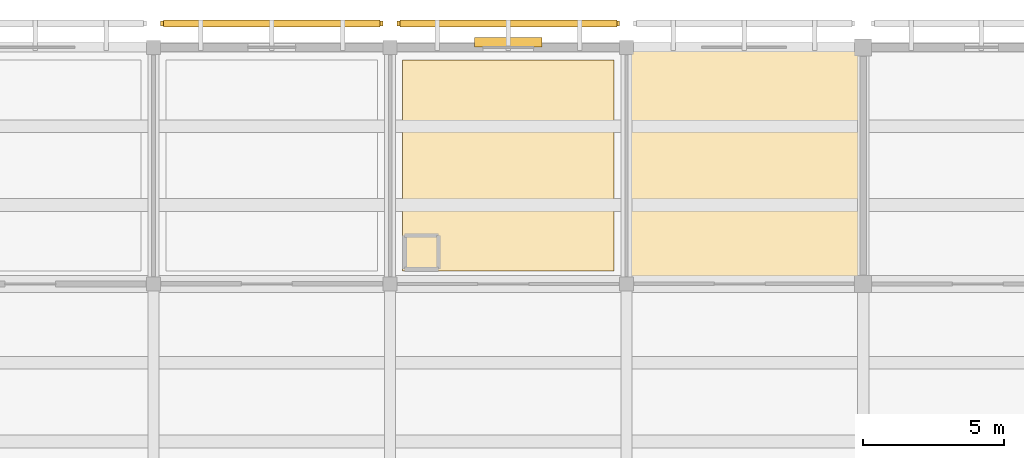
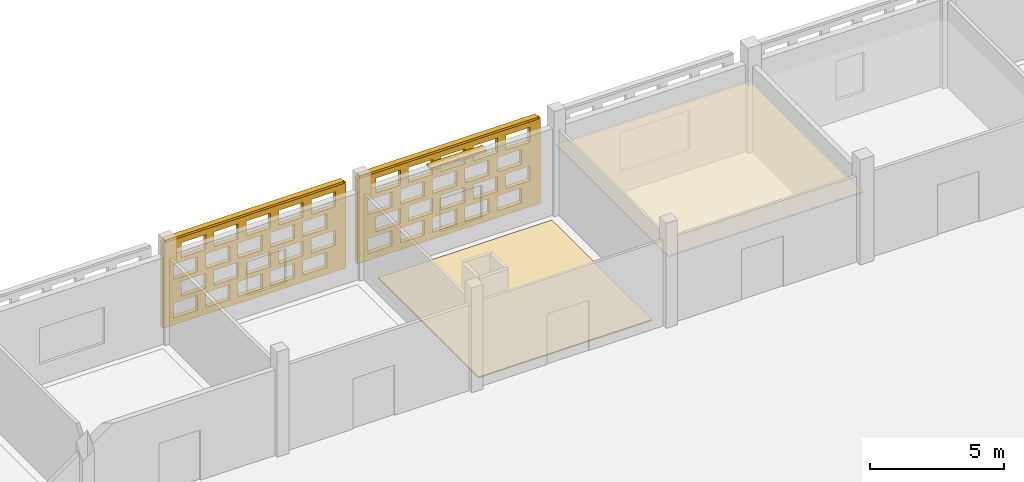
# One storey, part 108 of 129: 4 coverings, 3 shading devices, 40 openings.
"""IFC4 building model written with IfcOpenShell, lengths in metres."""

from ifc_helpers import new_model, si_unit, direction, frame, frame_2d, origin, origin_2d, place, context, subcontext, project, spatial, rectangle, extrude, material, layer, layer_set, type_object, element, save


model = new_model("IFC4")

# Units and contexts
model_context = context("Model", 3, precision=1e-05, world=origin(), true_north=direction((0.0, 1.0)))
body_context = subcontext(model_context, "Body", "Model", "MODEL_VIEW")
ifc_project = project(units=[si_unit("LENGTHUNIT", "METRE"), si_unit("AREAUNIT", "SQUARE_METRE"), si_unit("VOLUMEUNIT", "CUBIC_METRE"), si_unit("PLANEANGLEUNIT", "RADIAN"), si_unit("MASSUNIT", "GRAM", prefix="KILO")], contexts=[model_context])

# Site, building, storey
site_placement = place(None, origin())
site = spatial("IfcSite", under=ifc_project, at=site_placement, CompositionType="ELEMENT")
building_placement = place(site_placement, origin())
building = spatial("IfcBuilding", under=site, at=building_placement, Name="Varnapada Polytechnic", CompositionType="ELEMENT")
storey_placement = place(building_placement, origin())
storey = spatial("IfcBuildingStorey", under=building, at=storey_placement, Name="L00", CompositionType="ELEMENT", Elevation=0.0)

# Covering
ifc_material_1 = material(Name="End-Grain Timber Studio Block Flooring", Category="wood")
ifc_layer_1 = layer(ifc_material_1, 0.054931640625)
ifc_layer_set_1 = layer_set([ifc_layer_1], Name="End-Grain Timber Studio Block Flooring")
covering_type_1 = type_object("IfcCoveringType", Name="Floor Finish FLR-04", PredefinedType="FLOORING", material=ifc_layer_set_1)
covering_1_placement = place(storey_placement, frame((105.0, 121.800048828125, 0.0), z_axis=(0.0, 0.0, 1.0), x_axis=(1.0, 0.0, 0.0)))
element("IfcCovering", 1, at=covering_1_placement, inside=storey, type_object=covering_type_1, Name="L00 floor finish panel (13,15)", PredefinedType="FLOORING", context=body_context, shape_type="SweptSolid", body=[
    extrude(rectangle(XDim=7.5, YDim=7.5, at=origin_2d()), origin(), (0.0, 0.0, 1.0), 0.054931640625),
])

# Shading device
ifc_material_2 = material(Name="Anodised aluminium", Category="aluminium")
ifc_layer_2 = layer(ifc_material_2, 0.35009765625)
ifc_layer_set_2 = layer_set([ifc_layer_2], Name="Anodised aluminium")
shading_device_type_1 = type_object("IfcShadingDeviceType", Name="Solar Louvre LVR-01", PredefinedType="JALOUSIE", material=ifc_layer_set_2)
shading_device_placement = place(storey_placement, frame((105.0, 126.179931640625, 3.760009765625), z_axis=(0.0, 0.0, 1.0), x_axis=(1.0, 0.0, 0.0)))
element("IfcShadingDevice", 2, at=shading_device_placement, inside=storey, type_object=shading_device_type_1, Name="L00 aluminium sun louvre 67", PredefinedType="JALOUSIE", context=body_context, shape_type="SweptSolid", body=[
    extrude(rectangle(XDim=2.39990234375, YDim=0.340087890625, at=origin_2d()), origin(), (0.0, 0.0, 1.0), 0.1201171875),
])

# Covering
ifc_material_3 = material(Name="Slatted Merbau Timber Acoustic Ceiling", Category="wood")
ifc_layer_3 = layer(ifc_material_3, 0.054931640625)
ifc_layer_set_3 = layer_set([ifc_layer_3], Name="Slatted Merbau Timber Acoustic Ceiling")
covering_type_2 = type_object("IfcCoveringType", Name="Suspended Ceiling CLG-05", PredefinedType="CEILING", material=ifc_layer_set_3)
covering_2_placement = place(storey_placement, frame((113.39990234375, 121.800048828125, 3.0224609375), z_axis=(0.0, 0.0, 1.0), x_axis=(1.0, 0.0, 0.0)))
element("IfcCovering", 3, at=covering_2_placement, inside=storey, type_object=covering_type_2, Name="L00 suspended acoustic ceiling (14,15)", PredefinedType="CEILING", context=body_context, shape_type="SweptSolid", body=[
    extrude(rectangle(XDim=8.419921875, YDim=8.419921875, at=origin_2d()), origin(), (0.0, 0.0, 1.0), 0.054931640625),
])

# Covering, openings
ifc_material_4 = material(Name="Earth-toned architectural terracotta screen block", Category="masonry")
ifc_layer_4 = layer(ifc_material_4, 0.1201171875)
ifc_layer_set_4 = layer_set([ifc_layer_4], Name="Earth-toned architectural terracotta screen block")
covering_type_3 = type_object("IfcCoveringType", Name="Terracotta Screen Cladding CLD-01", PredefinedType="CLADDING", material=ifc_layer_set_4)
covering_3_placement = place(storey_placement, frame((92.64990234375, 126.85009765625, 0.0), z_axis=(0.0, 0.0, 1.0), x_axis=(1.0, 0.0, 0.0)))
covering_3 = element("IfcCovering", 4, at=covering_3_placement, inside=storey, type_object=covering_type_3, Name="L00 perforated terracotta block screen (63)", PredefinedType="CLADDING", context=body_context, shape_type="SweptSolid", body=[
    extrude(rectangle(XDim=7.900146484375, YDim=0.179931640625, at=frame_2d((3.9501953125, 0.0))), origin(), (0.0, 0.0, 1.0), 3.919921875),
])
opening_1_placement = place(covering_3_placement, frame((0.449951171875, 0.0, 0.313720703125)))
element("IfcOpeningElement", 5, at=opening_1_placement, cuts=covering_3, Name="Screen perforation TBS-L00-062.1", PredefinedType="OPENING", context=body_context, shape_type="SweptSolid", body=[
    extrude(rectangle(XDim=1.0400390625, YDim=0.679931640625, at=frame_2d((0.52001953125, 0.33984375))), frame((0.0, 0.099853515625, 0.0), z_axis=(0.0, -1.0, 0.0), x_axis=(1.0, 0.0, 0.0)), (0.0, 0.0, 1.0), 0.199951171875),
])
opening_2_placement = place(covering_3_placement, frame((1.85009765625, 0.0, 0.313720703125)))
element("IfcOpeningElement", 6, at=opening_2_placement, cuts=covering_3, Name="Screen perforation TBS-L00-062.2", PredefinedType="OPENING", context=body_context, shape_type="SweptSolid", body=[
    extrude(rectangle(XDim=1.0400390625, YDim=0.679931640625, at=frame_2d((0.52001953125, 0.33984375))), frame((0.0, 0.099853515625, 0.0), z_axis=(0.0, -1.0, 0.0), x_axis=(1.0, 0.0, 0.0)), (0.0, 0.0, 1.0), 0.199951171875),
])
opening_3_placement = place(covering_3_placement, frame((3.25, 0.0, 0.313720703125)))
element("IfcOpeningElement", 7, at=opening_3_placement, cuts=covering_3, Name="Screen perforation TBS-L00-062.3", PredefinedType="OPENING", context=body_context, shape_type="SweptSolid", body=[
    extrude(rectangle(XDim=1.0400390625, YDim=0.679931640625, at=frame_2d((0.52001953125, 0.33984375))), frame((0.0, 0.099853515625, 0.0), z_axis=(0.0, -1.0, 0.0), x_axis=(1.0, 0.0, 0.0)), (0.0, 0.0, 1.0), 0.199951171875),
])
opening_4_placement = place(covering_3_placement, frame((4.64990234375, 0.0, 0.313720703125)))
element("IfcOpeningElement", 8, at=opening_4_placement, cuts=covering_3, Name="Screen perforation TBS-L00-062.4", PredefinedType="OPENING", context=body_context, shape_type="SweptSolid", body=[
    extrude(rectangle(XDim=1.0400390625, YDim=0.679931640625, at=frame_2d((0.52001953125, 0.33984375))), frame((0.0, 0.099853515625, 0.0), z_axis=(0.0, -1.0, 0.0), x_axis=(1.0, 0.0, 0.0)), (0.0, 0.0, 1.0), 0.199951171875),
])
opening_5_placement = place(covering_3_placement, frame((6.050048828125, 0.0, 0.313720703125)))
element("IfcOpeningElement", 9, at=opening_5_placement, cuts=covering_3, Name="Screen perforation TBS-L00-062.5", PredefinedType="OPENING", context=body_context, shape_type="SweptSolid", body=[
    extrude(rectangle(XDim=1.0400390625, YDim=0.679931640625, at=frame_2d((0.52001953125, 0.33984375))), frame((0.0, 0.099853515625, 0.0), z_axis=(0.0, -1.0, 0.0), x_axis=(1.0, 0.0, 0.0)), (0.0, 0.0, 1.0), 0.199951171875),
])
opening_6_placement = place(covering_3_placement, frame((0.81005859375, 0.0, 1.195556640625)))
element("IfcOpeningElement", 10, at=opening_6_placement, cuts=covering_3, Name="Screen perforation TBS-L00-062.6", PredefinedType="OPENING", context=body_context, shape_type="SweptSolid", body=[
    extrude(rectangle(XDim=1.0400390625, YDim=0.679931640625, at=frame_2d((0.52001953125, 0.33984375))), frame((0.0, 0.099853515625, 0.0), z_axis=(0.0, -1.0, 0.0), x_axis=(1.0, 0.0, 0.0)), (0.0, 0.0, 1.0), 0.199951171875),
])
opening_7_placement = place(covering_3_placement, frame((2.2099609375, 0.0, 1.195556640625)))
element("IfcOpeningElement", 11, at=opening_7_placement, cuts=covering_3, Name="Screen perforation TBS-L00-062.7", PredefinedType="OPENING", context=body_context, shape_type="SweptSolid", body=[
    extrude(rectangle(XDim=1.0400390625, YDim=0.679931640625, at=frame_2d((0.52001953125, 0.33984375))), frame((0.0, 0.099853515625, 0.0), z_axis=(0.0, -1.0, 0.0), x_axis=(1.0, 0.0, 0.0)), (0.0, 0.0, 1.0), 0.199951171875),
])
opening_8_placement = place(covering_3_placement, frame((3.610107421875, 0.0, 1.195556640625)))
element("IfcOpeningElement", 12, at=opening_8_placement, cuts=covering_3, Name="Screen perforation TBS-L00-062.8", PredefinedType="OPENING", context=body_context, shape_type="SweptSolid", body=[
    extrude(rectangle(XDim=1.0400390625, YDim=0.679931640625, at=frame_2d((0.52001953125, 0.33984375))), frame((0.0, 0.099853515625, 0.0), z_axis=(0.0, -1.0, 0.0), x_axis=(1.0, 0.0, 0.0)), (0.0, 0.0, 1.0), 0.199951171875),
])
opening_9_placement = place(covering_3_placement, frame((5.010009765625, 0.0, 1.195556640625)))
element("IfcOpeningElement", 13, at=opening_9_placement, cuts=covering_3, Name="Screen perforation TBS-L00-062.9", PredefinedType="OPENING", context=body_context, shape_type="SweptSolid", body=[
    extrude(rectangle(XDim=1.0400390625, YDim=0.679931640625, at=frame_2d((0.52001953125, 0.33984375))), frame((0.0, 0.099853515625, 0.0), z_axis=(0.0, -1.0, 0.0), x_axis=(1.0, 0.0, 0.0)), (0.0, 0.0, 1.0), 0.199951171875),
])
opening_10_placement = place(covering_3_placement, frame((6.409912109375, 0.0, 1.195556640625)))
element("IfcOpeningElement", 14, at=opening_10_placement, cuts=covering_3, Name="Screen perforation TBS-L00-062.10", PredefinedType="OPENING", context=body_context, shape_type="SweptSolid", body=[
    extrude(rectangle(XDim=1.0400390625, YDim=0.679931640625, at=frame_2d((0.52001953125, 0.33984375))), frame((0.0, 0.099853515625, 0.0), z_axis=(0.0, -1.0, 0.0), x_axis=(1.0, 0.0, 0.0)), (0.0, 0.0, 1.0), 0.199951171875),
])
opening_11_placement = place(covering_3_placement, frame((0.449951171875, 0.0, 2.07763671875)))
element("IfcOpeningElement", 15, at=opening_11_placement, cuts=covering_3, Name="Screen perforation TBS-L00-062.11", PredefinedType="OPENING", context=body_context, shape_type="SweptSolid", body=[
    extrude(rectangle(XDim=1.0400390625, YDim=0.679931640625, at=frame_2d((0.52001953125, 0.33984375))), frame((0.0, 0.099853515625, 0.0), z_axis=(0.0, -1.0, 0.0), x_axis=(1.0, 0.0, 0.0)), (0.0, 0.0, 1.0), 0.199951171875),
])
opening_12_placement = place(covering_3_placement, frame((1.85009765625, 0.0, 2.07763671875)))
element("IfcOpeningElement", 16, at=opening_12_placement, cuts=covering_3, Name="Screen perforation TBS-L00-062.12", PredefinedType="OPENING", context=body_context, shape_type="SweptSolid", body=[
    extrude(rectangle(XDim=1.0400390625, YDim=0.679931640625, at=frame_2d((0.52001953125, 0.33984375))), frame((0.0, 0.099853515625, 0.0), z_axis=(0.0, -1.0, 0.0), x_axis=(1.0, 0.0, 0.0)), (0.0, 0.0, 1.0), 0.199951171875),
])
opening_13_placement = place(covering_3_placement, frame((3.25, 0.0, 2.07763671875)))
element("IfcOpeningElement", 17, at=opening_13_placement, cuts=covering_3, Name="Screen perforation TBS-L00-062.13", PredefinedType="OPENING", context=body_context, shape_type="SweptSolid", body=[
    extrude(rectangle(XDim=1.0400390625, YDim=0.679931640625, at=frame_2d((0.52001953125, 0.33984375))), frame((0.0, 0.099853515625, 0.0), z_axis=(0.0, -1.0, 0.0), x_axis=(1.0, 0.0, 0.0)), (0.0, 0.0, 1.0), 0.199951171875),
])
opening_14_placement = place(covering_3_placement, frame((4.64990234375, 0.0, 2.07763671875)))
element("IfcOpeningElement", 18, at=opening_14_placement, cuts=covering_3, Name="Screen perforation TBS-L00-062.14", PredefinedType="OPENING", context=body_context, shape_type="SweptSolid", body=[
    extrude(rectangle(XDim=1.0400390625, YDim=0.679931640625, at=frame_2d((0.52001953125, 0.33984375))), frame((0.0, 0.099853515625, 0.0), z_axis=(0.0, -1.0, 0.0), x_axis=(1.0, 0.0, 0.0)), (0.0, 0.0, 1.0), 0.199951171875),
])
opening_15_placement = place(covering_3_placement, frame((6.050048828125, 0.0, 2.07763671875)))
element("IfcOpeningElement", 19, at=opening_15_placement, cuts=covering_3, Name="Screen perforation TBS-L00-062.15", PredefinedType="OPENING", context=body_context, shape_type="SweptSolid", body=[
    extrude(rectangle(XDim=1.0400390625, YDim=0.679931640625, at=frame_2d((0.52001953125, 0.33984375))), frame((0.0, 0.099853515625, 0.0), z_axis=(0.0, -1.0, 0.0), x_axis=(1.0, 0.0, 0.0)), (0.0, 0.0, 1.0), 0.199951171875),
])
opening_16_placement = place(covering_3_placement, frame((0.81005859375, 0.0, 2.959716796875)))
element("IfcOpeningElement", 20, at=opening_16_placement, cuts=covering_3, Name="Screen perforation TBS-L00-062.16", PredefinedType="OPENING", context=body_context, shape_type="SweptSolid", body=[
    extrude(rectangle(XDim=1.0400390625, YDim=0.679931640625, at=frame_2d((0.52001953125, 0.33984375))), frame((0.0, 0.099853515625, 0.0), z_axis=(0.0, -1.0, 0.0), x_axis=(1.0, 0.0, 0.0)), (0.0, 0.0, 1.0), 0.199951171875),
])
opening_17_placement = place(covering_3_placement, frame((2.2099609375, 0.0, 2.959716796875)))
element("IfcOpeningElement", 21, at=opening_17_placement, cuts=covering_3, Name="Screen perforation TBS-L00-062.17", PredefinedType="OPENING", context=body_context, shape_type="SweptSolid", body=[
    extrude(rectangle(XDim=1.0400390625, YDim=0.679931640625, at=frame_2d((0.52001953125, 0.33984375))), frame((0.0, 0.099853515625, 0.0), z_axis=(0.0, -1.0, 0.0), x_axis=(1.0, 0.0, 0.0)), (0.0, 0.0, 1.0), 0.199951171875),
])
opening_18_placement = place(covering_3_placement, frame((3.610107421875, 0.0, 2.959716796875)))
element("IfcOpeningElement", 22, at=opening_18_placement, cuts=covering_3, Name="Screen perforation TBS-L00-062.18", PredefinedType="OPENING", context=body_context, shape_type="SweptSolid", body=[
    extrude(rectangle(XDim=1.0400390625, YDim=0.679931640625, at=frame_2d((0.52001953125, 0.33984375))), frame((0.0, 0.099853515625, 0.0), z_axis=(0.0, -1.0, 0.0), x_axis=(1.0, 0.0, 0.0)), (0.0, 0.0, 1.0), 0.199951171875),
])
opening_19_placement = place(covering_3_placement, frame((5.010009765625, 0.0, 2.959716796875)))
element("IfcOpeningElement", 23, at=opening_19_placement, cuts=covering_3, Name="Screen perforation TBS-L00-062.19", PredefinedType="OPENING", context=body_context, shape_type="SweptSolid", body=[
    extrude(rectangle(XDim=1.0400390625, YDim=0.679931640625, at=frame_2d((0.52001953125, 0.33984375))), frame((0.0, 0.099853515625, 0.0), z_axis=(0.0, -1.0, 0.0), x_axis=(1.0, 0.0, 0.0)), (0.0, 0.0, 1.0), 0.199951171875),
])
opening_20_placement = place(covering_3_placement, frame((6.409912109375, 0.0, 2.959716796875)))
element("IfcOpeningElement", 24, at=opening_20_placement, cuts=covering_3, Name="Screen perforation TBS-L00-062.20", PredefinedType="OPENING", context=body_context, shape_type="SweptSolid", body=[
    extrude(rectangle(XDim=1.0400390625, YDim=0.679931640625, at=frame_2d((0.52001953125, 0.33984375))), frame((0.0, 0.099853515625, 0.0), z_axis=(0.0, -1.0, 0.0), x_axis=(1.0, 0.0, 0.0)), (0.0, 0.0, 1.0), 0.199951171875),
])

covering_4_placement = place(storey_placement, frame((101.050048828125, 126.85009765625, 0.0), z_axis=(0.0, 0.0, 1.0), x_axis=(1.0, 0.0, 0.0)))
covering_4 = element("IfcCovering", 25, at=covering_4_placement, inside=storey, type_object=covering_type_3, Name="L00 perforated terracotta block screen (67)", PredefinedType="CLADDING", context=body_context, shape_type="SweptSolid", body=[
    extrude(rectangle(XDim=7.89990234375, YDim=0.179931640625, at=frame_2d((3.949951171875, 0.0))), origin(), (0.0, 0.0, 1.0), 3.919921875),
])
opening_21_placement = place(covering_4_placement, frame((0.449951171875, 0.0, 0.313720703125)))
element("IfcOpeningElement", 26, at=opening_21_placement, cuts=covering_4, Name="Screen perforation TBS-L00-066.1", PredefinedType="OPENING", context=body_context, shape_type="SweptSolid", body=[
    extrude(rectangle(XDim=1.0400390625, YDim=0.679931640625, at=frame_2d((0.52001953125, 0.33984375))), frame((0.0, 0.099853515625, 0.0), z_axis=(0.0, -1.0, 0.0), x_axis=(1.0, 0.0, 0.0)), (0.0, 0.0, 1.0), 0.199951171875),
])
opening_22_placement = place(covering_4_placement, frame((1.85009765625, 0.0, 0.313720703125)))
element("IfcOpeningElement", 27, at=opening_22_placement, cuts=covering_4, Name="Screen perforation TBS-L00-066.2", PredefinedType="OPENING", context=body_context, shape_type="SweptSolid", body=[
    extrude(rectangle(XDim=1.0400390625, YDim=0.679931640625, at=frame_2d((0.52001953125, 0.33984375))), frame((0.0, 0.099853515625, 0.0), z_axis=(0.0, -1.0, 0.0), x_axis=(1.0, 0.0, 0.0)), (0.0, 0.0, 1.0), 0.199951171875),
])
opening_23_placement = place(covering_4_placement, frame((3.25, 0.0, 0.313720703125)))
element("IfcOpeningElement", 28, at=opening_23_placement, cuts=covering_4, Name="Screen perforation TBS-L00-066.3", PredefinedType="OPENING", context=body_context, shape_type="SweptSolid", body=[
    extrude(rectangle(XDim=1.0400390625, YDim=0.679931640625, at=frame_2d((0.52001953125, 0.33984375))), frame((0.0, 0.099853515625, 0.0), z_axis=(0.0, -1.0, 0.0), x_axis=(1.0, 0.0, 0.0)), (0.0, 0.0, 1.0), 0.199951171875),
])
opening_24_placement = place(covering_4_placement, frame((4.64990234375, 0.0, 0.313720703125)))
element("IfcOpeningElement", 29, at=opening_24_placement, cuts=covering_4, Name="Screen perforation TBS-L00-066.4", PredefinedType="OPENING", context=body_context, shape_type="SweptSolid", body=[
    extrude(rectangle(XDim=1.0400390625, YDim=0.679931640625, at=frame_2d((0.52001953125, 0.33984375))), frame((0.0, 0.099853515625, 0.0), z_axis=(0.0, -1.0, 0.0), x_axis=(1.0, 0.0, 0.0)), (0.0, 0.0, 1.0), 0.199951171875),
])
opening_25_placement = place(covering_4_placement, frame((6.050048828125, 0.0, 0.313720703125)))
element("IfcOpeningElement", 30, at=opening_25_placement, cuts=covering_4, Name="Screen perforation TBS-L00-066.5", PredefinedType="OPENING", context=body_context, shape_type="SweptSolid", body=[
    extrude(rectangle(XDim=1.0400390625, YDim=0.679931640625, at=frame_2d((0.52001953125, 0.33984375))), frame((0.0, 0.099853515625, 0.0), z_axis=(0.0, -1.0, 0.0), x_axis=(1.0, 0.0, 0.0)), (0.0, 0.0, 1.0), 0.199951171875),
])
opening_26_placement = place(covering_4_placement, frame((0.81005859375, 0.0, 1.195556640625)))
element("IfcOpeningElement", 31, at=opening_26_placement, cuts=covering_4, Name="Screen perforation TBS-L00-066.6", PredefinedType="OPENING", context=body_context, shape_type="SweptSolid", body=[
    extrude(rectangle(XDim=1.0400390625, YDim=0.679931640625, at=frame_2d((0.52001953125, 0.33984375))), frame((0.0, 0.099853515625, 0.0), z_axis=(0.0, -1.0, 0.0), x_axis=(1.0, 0.0, 0.0)), (0.0, 0.0, 1.0), 0.199951171875),
])
opening_27_placement = place(covering_4_placement, frame((2.2099609375, 0.0, 1.195556640625)))
element("IfcOpeningElement", 32, at=opening_27_placement, cuts=covering_4, Name="Screen perforation TBS-L00-066.7", PredefinedType="OPENING", context=body_context, shape_type="SweptSolid", body=[
    extrude(rectangle(XDim=1.0400390625, YDim=0.679931640625, at=frame_2d((0.52001953125, 0.33984375))), frame((0.0, 0.099853515625, 0.0), z_axis=(0.0, -1.0, 0.0), x_axis=(1.0, 0.0, 0.0)), (0.0, 0.0, 1.0), 0.199951171875),
])
opening_28_placement = place(covering_4_placement, frame((3.610107421875, 0.0, 1.195556640625)))
element("IfcOpeningElement", 33, at=opening_28_placement, cuts=covering_4, Name="Screen perforation TBS-L00-066.8", PredefinedType="OPENING", context=body_context, shape_type="SweptSolid", body=[
    extrude(rectangle(XDim=1.0400390625, YDim=0.679931640625, at=frame_2d((0.52001953125, 0.33984375))), frame((0.0, 0.099853515625, 0.0), z_axis=(0.0, -1.0, 0.0), x_axis=(1.0, 0.0, 0.0)), (0.0, 0.0, 1.0), 0.199951171875),
])
opening_29_placement = place(covering_4_placement, frame((5.010009765625, 0.0, 1.195556640625)))
element("IfcOpeningElement", 34, at=opening_29_placement, cuts=covering_4, Name="Screen perforation TBS-L00-066.9", PredefinedType="OPENING", context=body_context, shape_type="SweptSolid", body=[
    extrude(rectangle(XDim=1.0400390625, YDim=0.679931640625, at=frame_2d((0.52001953125, 0.33984375))), frame((0.0, 0.099853515625, 0.0), z_axis=(0.0, -1.0, 0.0), x_axis=(1.0, 0.0, 0.0)), (0.0, 0.0, 1.0), 0.199951171875),
])
opening_30_placement = place(covering_4_placement, frame((6.409912109375, 0.0, 1.195556640625)))
element("IfcOpeningElement", 35, at=opening_30_placement, cuts=covering_4, Name="Screen perforation TBS-L00-066.10", PredefinedType="OPENING", context=body_context, shape_type="SweptSolid", body=[
    extrude(rectangle(XDim=1.0400390625, YDim=0.679931640625, at=frame_2d((0.52001953125, 0.33984375))), frame((0.0, 0.099853515625, 0.0), z_axis=(0.0, -1.0, 0.0), x_axis=(1.0, 0.0, 0.0)), (0.0, 0.0, 1.0), 0.199951171875),
])
opening_31_placement = place(covering_4_placement, frame((0.449951171875, 0.0, 2.07763671875)))
element("IfcOpeningElement", 36, at=opening_31_placement, cuts=covering_4, Name="Screen perforation TBS-L00-066.11", PredefinedType="OPENING", context=body_context, shape_type="SweptSolid", body=[
    extrude(rectangle(XDim=1.0400390625, YDim=0.679931640625, at=frame_2d((0.52001953125, 0.33984375))), frame((0.0, 0.099853515625, 0.0), z_axis=(0.0, -1.0, 0.0), x_axis=(1.0, 0.0, 0.0)), (0.0, 0.0, 1.0), 0.199951171875),
])
opening_32_placement = place(covering_4_placement, frame((1.85009765625, 0.0, 2.07763671875)))
element("IfcOpeningElement", 37, at=opening_32_placement, cuts=covering_4, Name="Screen perforation TBS-L00-066.12", PredefinedType="OPENING", context=body_context, shape_type="SweptSolid", body=[
    extrude(rectangle(XDim=1.0400390625, YDim=0.679931640625, at=frame_2d((0.52001953125, 0.33984375))), frame((0.0, 0.099853515625, 0.0), z_axis=(0.0, -1.0, 0.0), x_axis=(1.0, 0.0, 0.0)), (0.0, 0.0, 1.0), 0.199951171875),
])
opening_33_placement = place(covering_4_placement, frame((3.25, 0.0, 2.07763671875)))
element("IfcOpeningElement", 38, at=opening_33_placement, cuts=covering_4, Name="Screen perforation TBS-L00-066.13", PredefinedType="OPENING", context=body_context, shape_type="SweptSolid", body=[
    extrude(rectangle(XDim=1.0400390625, YDim=0.679931640625, at=frame_2d((0.52001953125, 0.33984375))), frame((0.0, 0.099853515625, 0.0), z_axis=(0.0, -1.0, 0.0), x_axis=(1.0, 0.0, 0.0)), (0.0, 0.0, 1.0), 0.199951171875),
])
opening_34_placement = place(covering_4_placement, frame((4.64990234375, 0.0, 2.07763671875)))
element("IfcOpeningElement", 39, at=opening_34_placement, cuts=covering_4, Name="Screen perforation TBS-L00-066.14", PredefinedType="OPENING", context=body_context, shape_type="SweptSolid", body=[
    extrude(rectangle(XDim=1.0400390625, YDim=0.679931640625, at=frame_2d((0.52001953125, 0.33984375))), frame((0.0, 0.099853515625, 0.0), z_axis=(0.0, -1.0, 0.0), x_axis=(1.0, 0.0, 0.0)), (0.0, 0.0, 1.0), 0.199951171875),
])
opening_35_placement = place(covering_4_placement, frame((6.050048828125, 0.0, 2.07763671875)))
element("IfcOpeningElement", 40, at=opening_35_placement, cuts=covering_4, Name="Screen perforation TBS-L00-066.15", PredefinedType="OPENING", context=body_context, shape_type="SweptSolid", body=[
    extrude(rectangle(XDim=1.0400390625, YDim=0.679931640625, at=frame_2d((0.52001953125, 0.33984375))), frame((0.0, 0.099853515625, 0.0), z_axis=(0.0, -1.0, 0.0), x_axis=(1.0, 0.0, 0.0)), (0.0, 0.0, 1.0), 0.199951171875),
])
opening_36_placement = place(covering_4_placement, frame((0.81005859375, 0.0, 2.959716796875)))
element("IfcOpeningElement", 41, at=opening_36_placement, cuts=covering_4, Name="Screen perforation TBS-L00-066.16", PredefinedType="OPENING", context=body_context, shape_type="SweptSolid", body=[
    extrude(rectangle(XDim=1.0400390625, YDim=0.679931640625, at=frame_2d((0.52001953125, 0.33984375))), frame((0.0, 0.099853515625, 0.0), z_axis=(0.0, -1.0, 0.0), x_axis=(1.0, 0.0, 0.0)), (0.0, 0.0, 1.0), 0.199951171875),
])
opening_37_placement = place(covering_4_placement, frame((2.2099609375, 0.0, 2.959716796875)))
element("IfcOpeningElement", 42, at=opening_37_placement, cuts=covering_4, Name="Screen perforation TBS-L00-066.17", PredefinedType="OPENING", context=body_context, shape_type="SweptSolid", body=[
    extrude(rectangle(XDim=1.0400390625, YDim=0.679931640625, at=frame_2d((0.52001953125, 0.33984375))), frame((0.0, 0.099853515625, 0.0), z_axis=(0.0, -1.0, 0.0), x_axis=(1.0, 0.0, 0.0)), (0.0, 0.0, 1.0), 0.199951171875),
])
opening_38_placement = place(covering_4_placement, frame((3.610107421875, 0.0, 2.959716796875)))
element("IfcOpeningElement", 43, at=opening_38_placement, cuts=covering_4, Name="Screen perforation TBS-L00-066.18", PredefinedType="OPENING", context=body_context, shape_type="SweptSolid", body=[
    extrude(rectangle(XDim=1.0400390625, YDim=0.679931640625, at=frame_2d((0.52001953125, 0.33984375))), frame((0.0, 0.099853515625, 0.0), z_axis=(0.0, -1.0, 0.0), x_axis=(1.0, 0.0, 0.0)), (0.0, 0.0, 1.0), 0.199951171875),
])
opening_39_placement = place(covering_4_placement, frame((5.010009765625, 0.0, 2.959716796875)))
element("IfcOpeningElement", 44, at=opening_39_placement, cuts=covering_4, Name="Screen perforation TBS-L00-066.19", PredefinedType="OPENING", context=body_context, shape_type="SweptSolid", body=[
    extrude(rectangle(XDim=1.0400390625, YDim=0.679931640625, at=frame_2d((0.52001953125, 0.33984375))), frame((0.0, 0.099853515625, 0.0), z_axis=(0.0, -1.0, 0.0), x_axis=(1.0, 0.0, 0.0)), (0.0, 0.0, 1.0), 0.199951171875),
])
opening_40_placement = place(covering_4_placement, frame((6.409912109375, 0.0, 2.959716796875)))
element("IfcOpeningElement", 45, at=opening_40_placement, cuts=covering_4, Name="Screen perforation TBS-L00-066.20", PredefinedType="OPENING", context=body_context, shape_type="SweptSolid", body=[
    extrude(rectangle(XDim=1.0400390625, YDim=0.679931640625, at=frame_2d((0.52001953125, 0.33984375))), frame((0.0, 0.099853515625, 0.0), z_axis=(0.0, -1.0, 0.0), x_axis=(1.0, 0.0, 0.0)), (0.0, 0.0, 1.0), 0.199951171875),
])

# Shading devices
ifc_layer_5 = layer(ifc_material_4, 0.179931640625)
ifc_layer_set_5 = layer_set([ifc_layer_5], Name="Earth-toned architectural terracotta screen block")
shading_device_type_2 = type_object("IfcShadingDeviceType", Name="Terracotta Screen SCR-02", PredefinedType="USERDEFINED", material=ifc_layer_set_5)
for number, where, z_axis, x_axis, name in (
    (46, (96.60009765625, 126.85009765625, 3.909912109375), (0.0, 0.0, 1.0), (1.0, 0.0, 0.0), "L00 perforated terracotta screen hood 45"),
    (47, (105.0, 126.85009765625, 3.909912109375), (0.0, 0.0, 1.0), (1.0, 0.0, 0.0), "L00 perforated terracotta screen hood 46"),
):
    element("IfcShadingDevice", number, at=place(storey_placement, frame(where, z_axis=z_axis, x_axis=x_axis)), inside=storey, type_object=shading_device_type_2, Name=name, ObjectType="SCREEN", PredefinedType="USERDEFINED", context=body_context, shape_type="SweptSolid", body=[
        extrude(rectangle(XDim=7.699951171875, YDim=0.239990234375, at=origin_2d()), origin(), (0.0, 0.0, 1.0), 0.10009765625),
    ])

save(model, "model.ifc")
